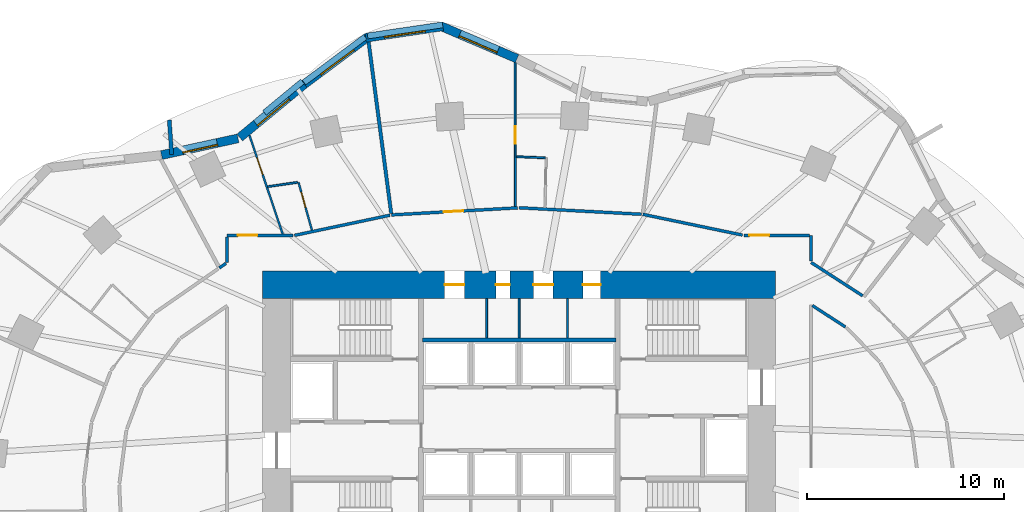
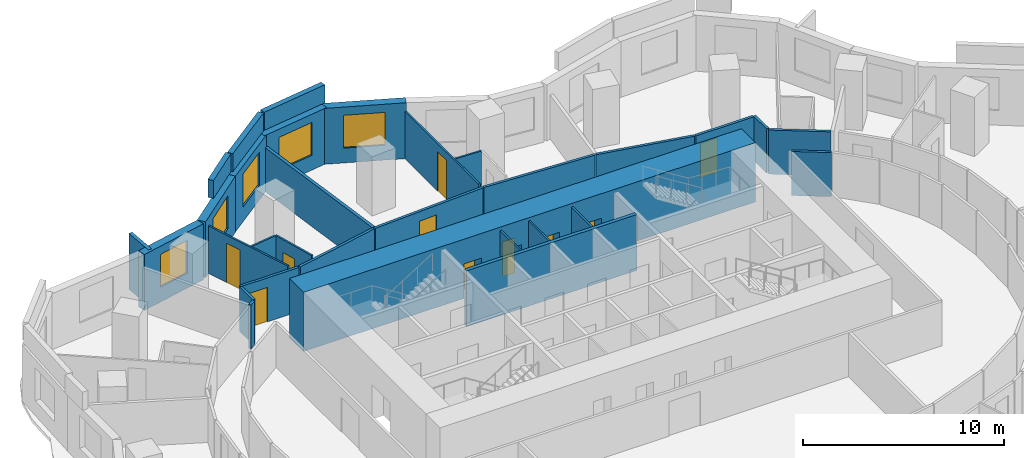
# One storey, part 8 of 11: 31 walls, 10 doors, 5 windows, 15 openings.
"""IFC4 building model written with IfcOpenShell, lengths in metres."""

from ifc_helpers import new_model, si_unit, direction, frame, frame_2d, origin, place, context, subcontext, project, spatial, rectangle, extrude, material, layer, layer_set, type_object, element, fill, save


model = new_model("IFC4")

# Units and contexts
model_context = context("Model", 3, precision=1e-05, world=origin(), true_north=direction((0.0, 1.0)))
body_context = subcontext(model_context, "Body", "Model", "MODEL_VIEW")
ifc_project = project(units=[si_unit("LENGTHUNIT", "METRE"), si_unit("AREAUNIT", "SQUARE_METRE"), si_unit("VOLUMEUNIT", "CUBIC_METRE"), si_unit("PLANEANGLEUNIT", "RADIAN"), si_unit("MASSUNIT", "GRAM", prefix="KILO")], contexts=[model_context])

# Site, building, storey
site_placement = place(None, origin())
site = spatial("IfcSite", under=ifc_project, at=site_placement, CompositionType="ELEMENT")
building_placement = place(site_placement, origin())
building = spatial("IfcBuilding", under=site, at=building_placement, Name="Rubra Terraces Tower", CompositionType="ELEMENT")
storey_placement = place(building_placement, frame((0.0, 0.0, 37.5)))
storey = spatial("IfcBuildingStorey", under=building, at=storey_placement, Name="L06", CompositionType="ELEMENT", Elevation=37.5)

# Wall
ifc_material_1 = material(Name="Twin plasterboard on staggered steel stud, acoustic mineral wool", Category="steel")
ifc_layer_1 = layer(ifc_material_1, 0.175048828125)
ifc_layer_set_1 = layer_set([ifc_layer_1], Name="Twin plasterboard on staggered steel stud, acoustic mineral wool")
wall_type_1 = type_object("IfcWallType", Name="ACOUSTIC PARTY WALL 175", PredefinedType="PARTITIONING", material=ifc_layer_set_1)
wall_1_placement = place(storey_placement, frame((-7.632568359375, 23.60791015625, 0.0), z_axis=(0.0, 0.0, 1.0), x_axis=(0.130721600839, -0.99141911575, 0.0)))
element("IfcWall", 1, at=wall_1_placement, inside=storey, type_object=wall_type_1, Name="PARTITION", PredefinedType="PARTITIONING", context=body_context, shape_type="SweptSolid", body=[
    extrude(rectangle(XDim=8.772216796875, YDim=0.175048828125, at=frame_2d((4.38623046875, 0.0))), origin(), (0.0, 0.0, 1.0), 2.679931640625),
])

# Wall, opening, window
ifc_material_2 = material(Name="Brick masonry red-brown", Category="masonry")
ifc_layer_2 = layer(ifc_material_2, 0.449951171875)
ifc_layer_set_2 = layer_set([ifc_layer_2], Name="Brick masonry red-brown")
wall_type_2 = type_object("IfcWallType", Name="Brick facade wall 450", PredefinedType="SOLIDWALL", material=ifc_layer_set_2)
wall_2_placement = place(storey_placement, frame((-0.103271484375, 22.7578125, 0.0), z_axis=(0.0, 0.0, 1.0), x_axis=(-0.920037498786, 0.391830321475, 0.0)))
wall_2 = element("IfcWall", 2, at=wall_2_placement, inside=storey, type_object=wall_type_2, Name="Facade wall L06 bay 11", PredefinedType="SOLIDWALL", context=body_context, shape_type="SweptSolid", body=[
    extrude(rectangle(XDim=4.219482421875, YDim=0.449951171875, at=frame_2d((2.10986328125, 0.0))), origin(), (0.0, 0.0, 1.0), 3.39990234375),
])
opening_1_placement = place(wall_2_placement, frame((1.059814453125, 0.0, 0.89990234375)))
opening_1 = element("IfcOpeningElement", 3, at=opening_1_placement, cuts=wall_2, Name="Opening W1", PredefinedType="OPENING", context=body_context, shape_type="SweptSolid", body=[
    extrude(rectangle(XDim=2.10009765625, YDim=2.0, at=frame_2d((1.050048828125, 1.0))), frame((0.0, 0.23486328125, 0.0), z_axis=(0.0, -1.0, 0.0), x_axis=(1.0, 0.0, 0.0)), (0.0, 0.0, 1.0), 0.469970703125),
])
ifc_material_3 = material(Name="Clear glass in aluminium frame", Category="aluminium")
window_type_1 = type_object("IfcWindowType", Name="Fixed deep-set window 2100 x 2000", PartitioningType="SINGLE_PANEL", PredefinedType="WINDOW", material=ifc_material_3)
window_1_placement = place(opening_1_placement, origin())
window_1 = element("IfcWindow", 4, at=window_1_placement, inside=storey, type_object=window_type_1, Name="Window L06 bay 11", OverallHeight=2.0, OverallWidth=2.10009765625, PartitioningType="SINGLE_PANEL", PredefinedType="WINDOW", context=body_context, shape_type="SweptSolid", body=[
    extrude(rectangle(XDim=2.10009765625, YDim=2.0, at=frame_2d((1.050048828125, 1.0))), frame((0.0, 0.135009765625, 0.0), z_axis=(0.0, -1.0, 0.0), x_axis=(1.0, 0.0, 0.0)), (0.0, 0.0, 1.0), 0.06005859375),
])
fill(opening_1, window_1)

wall_3_placement = place(storey_placement, frame((-3.8662109375, 24.396484375, 0.0), z_axis=(0.0, 0.0, 1.0), x_axis=(-0.989255112942, -0.146199594798, 0.0)))
wall_3 = element("IfcWall", 5, at=wall_3_placement, inside=storey, type_object=wall_type_2, Name="Facade wall L06 bay 12", PredefinedType="SOLIDWALL", context=body_context, shape_type="SweptSolid", body=[
    extrude(rectangle(XDim=3.954345703125, YDim=0.449951171875, at=frame_2d((1.97705078125, 0.0))), origin(), (0.0, 0.0, 1.0), 3.39990234375),
])
opening_2_placement = place(wall_3_placement, frame((0.92724609375, 0.0, 0.89990234375)))
opening_2 = element("IfcOpeningElement", 6, at=opening_2_placement, cuts=wall_3, Name="Opening W1", PredefinedType="OPENING", context=body_context, shape_type="SweptSolid", body=[
    extrude(rectangle(XDim=2.10009765625, YDim=2.0, at=frame_2d((1.050048828125, 1.0))), frame((0.0, 0.23486328125, 0.0), z_axis=(0.0, -1.0, 0.0), x_axis=(1.0, 0.0, 0.0)), (0.0, 0.0, 1.0), 0.469970703125),
])
window_2_placement = place(opening_2_placement, origin())
window_2 = element("IfcWindow", 7, at=window_2_placement, inside=storey, type_object=window_type_1, Name="Window L06 bay 12", OverallHeight=2.0, OverallWidth=2.10009765625, PartitioningType="SINGLE_PANEL", PredefinedType="WINDOW", context=body_context, shape_type="SweptSolid", body=[
    extrude(rectangle(XDim=2.10009765625, YDim=2.0, at=frame_2d((1.050048828125, 1.0))), frame((0.0, 0.135009765625, 0.0), z_axis=(0.0, -1.0, 0.0), x_axis=(1.0, 0.0, 0.0)), (0.0, 0.0, 1.0), 0.06005859375),
])
fill(opening_2, window_2)

wall_4_placement = place(storey_placement, frame((-7.678466796875, 23.859130859375, 0.0), z_axis=(0.0, 0.0, 1.0), x_axis=(-0.801665619573, -0.597772728046, 0.0)))
wall_4 = element("IfcWall", 8, at=wall_4_placement, inside=storey, type_object=wall_type_2, Name="Facade wall L06 bay 13", PredefinedType="SOLIDWALL", context=body_context, shape_type="SweptSolid", body=[
    extrude(rectangle(XDim=4.0029296875, YDim=0.449951171875, at=frame_2d((2.00146484375, 0.0))), origin(), (0.0, 0.0, 1.0), 3.39990234375),
])
opening_3_placement = place(wall_4_placement, frame((0.951416015625, 0.0, 0.89990234375)))
opening_3 = element("IfcOpeningElement", 9, at=opening_3_placement, cuts=wall_4, Name="Opening W1", PredefinedType="OPENING", context=body_context, shape_type="SweptSolid", body=[
    extrude(rectangle(XDim=2.10009765625, YDim=2.0, at=frame_2d((1.050048828125, 1.0))), frame((0.0, 0.23486328125, 0.0), z_axis=(0.0, -1.0, 0.0), x_axis=(1.0, 0.0, 0.0)), (0.0, 0.0, 1.0), 0.469970703125),
])
window_3_placement = place(opening_3_placement, origin())
window_3 = element("IfcWindow", 10, at=window_3_placement, inside=storey, type_object=window_type_1, Name="Window L06 bay 13", OverallHeight=2.0, OverallWidth=2.10009765625, PartitioningType="SINGLE_PANEL", PredefinedType="WINDOW", context=body_context, shape_type="SweptSolid", body=[
    extrude(rectangle(XDim=2.10009765625, YDim=2.0, at=frame_2d((1.050048828125, 1.0))), frame((0.0, 0.135009765625, 0.0), z_axis=(0.0, -1.0, 0.0), x_axis=(1.0, 0.0, 0.0)), (0.0, 0.0, 1.0), 0.06005859375),
])
fill(opening_3, window_3)

wall_5_placement = place(storey_placement, frame((-10.878662109375, 21.473388671875, 0.0), z_axis=(0.0, 0.0, 1.0), x_axis=(-0.77124668946, -0.636536365023, 0.0)))
wall_5 = element("IfcWall", 11, at=wall_5_placement, inside=storey, type_object=wall_type_2, Name="Facade wall L06 bay 14", PredefinedType="SOLIDWALL", context=body_context, shape_type="SweptSolid", body=[
    extrude(rectangle(XDim=4.2607421875, YDim=0.449951171875, at=frame_2d((2.13037109375, 0.0))), origin(), (0.0, 0.0, 1.0), 3.39990234375),
])
opening_4_placement = place(wall_5_placement, frame((1.080322265625, 0.0, 0.89990234375)))
opening_4 = element("IfcOpeningElement", 12, at=opening_4_placement, cuts=wall_5, Name="Opening W1", PredefinedType="OPENING", context=body_context, shape_type="SweptSolid", body=[
    extrude(rectangle(XDim=2.10009765625, YDim=2.0, at=frame_2d((1.050048828125, 1.0))), frame((0.0, 0.23486328125, 0.0), z_axis=(0.0, -1.0, 0.0), x_axis=(1.0, 0.0, 0.0)), (0.0, 0.0, 1.0), 0.469970703125),
])
window_4_placement = place(opening_4_placement, origin())
window_4 = element("IfcWindow", 13, at=window_4_placement, inside=storey, type_object=window_type_1, Name="Window L06 bay 14", OverallHeight=2.0, OverallWidth=2.10009765625, PartitioningType="SINGLE_PANEL", PredefinedType="WINDOW", context=body_context, shape_type="SweptSolid", body=[
    extrude(rectangle(XDim=2.10009765625, YDim=2.0, at=frame_2d((1.050048828125, 1.0))), frame((0.0, 0.135009765625, 0.0), z_axis=(0.0, -1.0, 0.0), x_axis=(1.0, 0.0, 0.0)), (0.0, 0.0, 1.0), 0.06005859375),
])
fill(opening_4, window_4)

wall_6_placement = place(storey_placement, frame((-14.250732421875, 18.71826171875, 0.0), z_axis=(0.0, 0.0, 1.0), x_axis=(-0.976903627618, -0.213680374267, 0.0)))
wall_6 = element("IfcWall", 14, at=wall_6_placement, inside=storey, type_object=wall_type_2, Name="Facade wall L06 bay 15", PredefinedType="SOLIDWALL", context=body_context, shape_type="SweptSolid", body=[
    extrude(rectangle(XDim=3.970458984375, YDim=0.449951171875, at=frame_2d((1.9853515625, 0.0))), origin(), (0.0, 0.0, 1.0), 3.39990234375),
])
opening_5_placement = place(wall_6_placement, frame((1.085205078125, 0.0, 0.89990234375)))
opening_5 = element("IfcOpeningElement", 15, at=opening_5_placement, cuts=wall_6, Name="Opening W6", PredefinedType="OPENING", context=body_context, shape_type="SweptSolid", body=[
    extrude(rectangle(XDim=1.800048828125, YDim=2.0, at=frame_2d((0.89990234375, 1.0))), frame((0.0, 0.23486328125, 0.0), z_axis=(0.0, -1.0, 0.0), x_axis=(1.0, 0.0, 0.0)), (0.0, 0.0, 1.0), 0.469970703125),
])
window_type_2 = type_object("IfcWindowType", Name="Fixed deep-set window at wind fin 1800 x 2000", PartitioningType="SINGLE_PANEL", PredefinedType="WINDOW", material=ifc_material_3)
window_5_placement = place(opening_5_placement, origin())
window_5 = element("IfcWindow", 16, at=window_5_placement, inside=storey, type_object=window_type_2, Name="Window L06 bay 15", OverallHeight=2.0, OverallWidth=1.800048828125, PartitioningType="SINGLE_PANEL", PredefinedType="WINDOW", context=body_context, shape_type="SweptSolid", body=[
    extrude(rectangle(XDim=1.800048828125, YDim=2.0, at=frame_2d((0.89990234375, 1.0))), frame((0.0, 0.135009765625, 0.0), z_axis=(0.0, -1.0, 0.0), x_axis=(1.0, 0.0, 0.0)), (0.0, 0.0, 1.0), 0.06005859375),
])
fill(opening_5, window_5)

# Walls
ifc_layer_3 = layer(ifc_material_2, 0.300048828125)
ifc_layer_set_3 = layer_set([ifc_layer_3], Name="Brick masonry red-brown")
wall_type_3 = type_object("IfcWallType", Name="Brick parapet 300", PredefinedType="PARAPET", material=ifc_layer_set_3)
wall_7_placement = place(storey_placement, frame((-3.877197265625, 24.470703125, 3.60009765625), z_axis=(0.0, 0.0, 1.0), x_axis=(-0.989252791024, -0.146215305118, 0.0)))
element("IfcWall", 17, at=wall_7_placement, inside=storey, type_object=wall_type_3, Name="Parapet L06 bay 12", PredefinedType="PARAPET", context=body_context, shape_type="SweptSolid", body=[
    extrude(rectangle(XDim=3.8486328125, YDim=0.300048828125, at=frame_2d((1.92431640625, 0.0))), origin(), (0.0, 0.0, 1.0), 1.099853515625),
])
wall_8_placement = place(storey_placement, frame((-7.80615234375, 23.857666015625, 3.60009765625), z_axis=(0.0, 0.0, 1.0), x_axis=(-0.801649538596, -0.597794293439, 0.0)))
element("IfcWall", 18, at=wall_8_placement, inside=storey, type_object=wall_type_3, Name="Parapet L06 bay 13", PredefinedType="PARAPET", context=body_context, shape_type="SweptSolid", body=[
    extrude(rectangle(XDim=3.86474609375, YDim=0.300048828125, at=frame_2d((1.932373046875, 0.0))), origin(), (0.0, 0.0, 1.0), 1.099853515625),
])
wall_9_placement = place(storey_placement, frame((-10.981689453125, 21.60107421875, 3.60009765625), z_axis=(0.0, 0.0, 1.0), x_axis=(-0.771295342686, -0.636477410715, 0.0)))
element("IfcWall", 19, at=wall_9_placement, inside=storey, type_object=wall_type_3, Name="Parapet L06 bay 14", PredefinedType="PARAPET", context=body_context, shape_type="SweptSolid", body=[
    extrude(rectangle(XDim=2.4990234375, YDim=0.300048828125, at=frame_2d((1.24951171875, 0.0))), origin(), (0.0, 0.0, 1.0), 1.099853515625),
])
ifc_layer_4 = layer(ifc_material_2, 0.199951171875)
ifc_layer_set_4 = layer_set([ifc_layer_4], Name="Brick masonry red-brown")
wall_type_4 = type_object("IfcWallType", Name="Brick wind fin 200", PredefinedType="SOLIDWALL", material=ifc_layer_set_4)
wall_10_placement = place(storey_placement, frame((-17.614013671875, 17.90087890625, 0.0), z_axis=(0.0, 0.0, 1.0), x_axis=(-0.069750000204, 0.997564502913, 0.0)))
element("IfcWall", 20, at=wall_10_placement, inside=storey, type_object=wall_type_4, Name="Wind fin L06 9", PredefinedType="SOLIDWALL", context=body_context, shape_type="SweptSolid", body=[
    extrude(rectangle(XDim=1.75, YDim=0.199951171875, at=frame_2d((0.875, 0.0))), origin(), (0.0, 0.0, 1.0), 3.39990234375),
])

# Wall, openings, doors
ifc_material_4 = material(Name="Concrete C70", Category="concrete")
ifc_layer_5 = layer(ifc_material_4, 1.39990234375)
ifc_layer_set_5 = layer_set([ifc_layer_5], Name="Concrete C70")
wall_type_5 = type_object("IfcWallType", Name="CORE WALL 1400 C70", PredefinedType="SHEAR", material=ifc_layer_set_5)
wall_11_placement = place(storey_placement, frame((-13.0, 11.300048828125, 0.0), z_axis=(0.0, 0.0, 1.0), x_axis=(1.0, 0.0, 0.0)))
wall_11 = element("IfcWall", 21, at=wall_11_placement, inside=storey, type_object=wall_type_5, Name="CORE WALL N L06", PredefinedType="SHEAR", context=body_context, shape_type="SweptSolid", body=[
    extrude(rectangle(XDim=26.0, YDim=1.39990234375, at=frame_2d((13.0, 0.0))), origin(), (0.0, 0.0, 1.0), 3.60009765625),
])
opening_6_placement = place(wall_11_placement, frame((9.22509765625, 0.0, 0.0)))
opening_6 = element("IfcOpeningElement", 22, at=opening_6_placement, cuts=wall_11, Name="Opening L06.C23", PredefinedType="OPENING", context=body_context, shape_type="SweptSolid", body=[
    extrude(rectangle(XDim=1.0, YDim=2.10009765625, at=frame_2d((0.5, 1.050048828125))), frame((0.0, 0.7099609375, 0.0), z_axis=(0.0, -1.0, 0.0), x_axis=(1.0, 0.0, 0.0)), (0.0, 0.0, 1.0), 1.419921875),
])
opening_7_placement = place(wall_11_placement, frame((11.824951171875, 0.0, 0.0)))
opening_7 = element("IfcOpeningElement", 23, at=opening_7_placement, cuts=wall_11, Name="Opening L06.C24", PredefinedType="OPENING", context=body_context, shape_type="SweptSolid", body=[
    extrude(rectangle(XDim=0.699951171875, YDim=2.10009765625, at=frame_2d((0.35009765625, 1.050048828125))), frame((0.0, 0.7099609375, 0.0), z_axis=(0.0, -1.0, 0.0), x_axis=(1.0, 0.0, 0.0)), (0.0, 0.0, 1.0), 1.419921875),
])
opening_8_placement = place(wall_11_placement, frame((13.72509765625, 0.0, 0.0)))
opening_8 = element("IfcOpeningElement", 24, at=opening_8_placement, cuts=wall_11, Name="Opening L06.C25", PredefinedType="OPENING", context=body_context, shape_type="SweptSolid", body=[
    extrude(rectangle(XDim=1.0, YDim=2.10009765625, at=frame_2d((0.5, 1.050048828125))), frame((0.0, 0.7099609375, 0.0), z_axis=(0.0, -1.0, 0.0), x_axis=(1.0, 0.0, 0.0)), (0.0, 0.0, 1.0), 1.419921875),
])
opening_9_placement = place(wall_11_placement, frame((16.22509765625, 0.0, 0.0)))
opening_9 = element("IfcOpeningElement", 25, at=opening_9_placement, cuts=wall_11, Name="Opening L06.C26", PredefinedType="OPENING", context=body_context, shape_type="SweptSolid", body=[
    extrude(rectangle(XDim=0.89990234375, YDim=2.10009765625, at=frame_2d((0.449951171875, 1.050048828125))), frame((0.0, 0.7099609375, 0.0), z_axis=(0.0, -1.0, 0.0), x_axis=(1.0, 0.0, 0.0)), (0.0, 0.0, 1.0), 1.419921875),
])
ifc_material_5 = material(Name="Painted steel", Category="steel")
door_type_1 = type_object("IfcDoorType", Name="Fire door 1000x2100 single", OperationType="NOTDEFINED", PredefinedType="DOOR", material=ifc_material_5)
door_1_placement = place(opening_6_placement, origin())
door_1 = element("IfcDoor", 26, at=door_1_placement, inside=storey, type_object=door_type_1, Name="General store door", OperationType="SINGLE_SWING_LEFT", OverallHeight=2.10009765625, OverallWidth=1.0, PredefinedType="DOOR", context=body_context, shape_type="SweptSolid", body=[
    extrude(rectangle(XDim=1.0, YDim=2.10009765625, at=frame_2d((0.5, 1.050048828125))), frame((0.0, 0.02490234375, 0.0), z_axis=(0.0, -1.0, 0.0), x_axis=(1.0, 0.0, 0.0)), (0.0, 0.0, 1.0), 0.050048828125),
])
fill(opening_6, door_1)
door_2_placement = place(opening_8_placement, origin())
door_2 = element("IfcDoor", 27, at=door_2_placement, inside=storey, type_object=door_type_1, Name="Tea point door", OperationType="SINGLE_SWING_LEFT", OverallHeight=2.10009765625, OverallWidth=1.0, PredefinedType="DOOR", context=body_context, shape_type="SweptSolid", body=[
    extrude(rectangle(XDim=1.0, YDim=2.10009765625, at=frame_2d((0.5, 1.050048828125))), frame((0.0, 0.02490234375, 0.0), z_axis=(0.0, -1.0, 0.0), x_axis=(1.0, 0.0, 0.0)), (0.0, 0.0, 1.0), 0.050048828125),
])
fill(opening_8, door_2)
door_type_2 = type_object("IfcDoorType", Name="Fire door 900x2100 single", OperationType="NOTDEFINED", PredefinedType="DOOR", material=ifc_material_5)
door_3_placement = place(opening_9_placement, origin())
door_3 = element("IfcDoor", 28, at=door_3_placement, inside=storey, type_object=door_type_2, Name="Cleaner's store door", OperationType="SINGLE_SWING_RIGHT", OverallHeight=2.10009765625, OverallWidth=0.89990234375, PredefinedType="DOOR", context=body_context, shape_type="SweptSolid", body=[
    extrude(rectangle(XDim=0.89990234375, YDim=2.10009765625, at=frame_2d((0.449951171875, 1.050048828125))), frame((0.0, 0.02490234375, 0.0), z_axis=(0.0, -1.0, 0.0), x_axis=(1.0, 0.0, 0.0)), (0.0, 0.0, 1.0), 0.050048828125),
])
fill(opening_9, door_3)
door_type_3 = type_object("IfcDoorType", Name="Riser access door 700x2100 single", OperationType="NOTDEFINED", PredefinedType="DOOR", material=ifc_material_5)
door_4_placement = place(opening_7_placement, origin())
door_4 = element("IfcDoor", 29, at=door_4_placement, inside=storey, type_object=door_type_3, Name="Electrical riser room door", OperationType="SINGLE_SWING_RIGHT", OverallHeight=2.10009765625, OverallWidth=0.699951171875, PredefinedType="DOOR", context=body_context, shape_type="SweptSolid", body=[
    extrude(rectangle(XDim=0.699951171875, YDim=2.10009765625, at=frame_2d((0.35009765625, 1.050048828125))), frame((0.0, 0.02490234375, 0.0), z_axis=(0.0, -1.0, 0.0), x_axis=(1.0, 0.0, 0.0)), (0.0, 0.0, 1.0), 0.050048828125),
])
fill(opening_7, door_4)

# Walls
ifc_material_6 = material(Name="Plasterboard on steel stud, mineral wool infill", Category="steel")
ifc_layer_6 = layer(ifc_material_6, 0.14990234375)
ifc_layer_set_6 = layer_set([ifc_layer_6], Name="Plasterboard on steel stud, mineral wool infill")
wall_type_6 = type_object("IfcWallType", Name="CORRIDOR PARTITION 150", PredefinedType="PARTITIONING", material=ifc_layer_set_6)
wall_12_placement = place(storey_placement, frame((17.410888671875, 10.737548828125, 0.0), z_axis=(0.0, 0.0, 1.0), x_axis=(-0.839570157152, 0.543251278157, 0.0)))
element("IfcWall", 30, at=wall_12_placement, inside=storey, type_object=wall_type_6, Name="PARTITION", PredefinedType="PARTITIONING", context=body_context, shape_type="SweptSolid", body=[
    extrude(rectangle(XDim=3.109375, YDim=0.14990234375, at=frame_2d((1.5546875, 0.0))), origin(), (0.0, 0.0, 1.0), 2.679931640625),
])
wall_13_placement = place(storey_placement, frame((14.80029296875, 12.501708984375, 0.0), z_axis=(0.0, 0.0, 1.0), x_axis=(-0.000188040613, 0.99999998232, 0.0)))
element("IfcWall", 31, at=wall_13_placement, inside=storey, type_object=wall_type_6, Name="PARTITION", PredefinedType="PARTITIONING", context=body_context, shape_type="SweptSolid", body=[
    extrude(rectangle(XDim=1.29833984375, YDim=0.14990234375, at=frame_2d((0.649169921875, 0.0))), origin(), (0.0, 0.0, 1.0), 2.679931640625),
])

# Wall, opening, door
wall_14_placement = place(storey_placement, frame((14.72509765625, 13.800048828125, 0.0), z_axis=(0.0, 0.0, 1.0), x_axis=(-1.0, 0.0, 0.0)))
wall_14 = element("IfcWall", 32, at=wall_14_placement, inside=storey, type_object=wall_type_6, Name="PARTITION", PredefinedType="PARTITIONING", context=body_context, shape_type="SweptSolid", body=[
    extrude(rectangle(XDim=3.335693359375, YDim=0.14990234375, at=frame_2d((1.66796875, 0.0))), origin(), (0.0, 0.0, 1.0), 2.679931640625),
])
opening_10_placement = place(wall_14_placement, frame((2.050048828125, 0.0, 0.0)))
opening_10 = element("IfcOpeningElement", 33, at=opening_10_placement, cuts=wall_14, Name="Opening 06-106", PredefinedType="OPENING", context=body_context, shape_type="SweptSolid", body=[
    extrude(rectangle(XDim=1.0, YDim=2.10009765625, at=frame_2d((0.5, 1.050048828125))), frame((0.0, 0.0849609375, 0.0), z_axis=(0.0, -1.0, 0.0), x_axis=(1.0, 0.0, 0.0)), (0.0, 0.0, 1.0), 0.169921875),
])
ifc_material_7 = material(Name="Painted timber door leaf", Category="wood")
door_type_4 = type_object("IfcDoorType", Name="ROOM DOOR 1000 X 2100", OperationType="SINGLE_SWING_LEFT", PredefinedType="DOOR", material=ifc_material_7)
door_5_placement = place(opening_10_placement, origin())
door_5 = element("IfcDoor", 34, at=door_5_placement, inside=storey, type_object=door_type_4, Name="DOOR 06-106", OperationType="SINGLE_SWING_RIGHT", OverallHeight=2.10009765625, OverallWidth=1.0, PredefinedType="DOOR", context=body_context, shape_type="SweptSolid", body=[
    extrude(rectangle(XDim=1.0, YDim=2.10009765625, at=frame_2d((0.5, 1.050048828125))), frame((0.0, 0.02490234375, 0.0), z_axis=(0.0, -1.0, 0.0), x_axis=(1.0, 0.0, 0.0)), (0.0, 0.0, 1.0), 0.050048828125),
])
fill(opening_10, door_5)

# Walls
wall_15_placement = place(storey_placement, frame((11.31591796875, 13.815185546875, 0.0), z_axis=(0.0, 0.0, 1.0), x_axis=(-0.978978843439, 0.203961820198, 0.0)))
element("IfcWall", 35, at=wall_15_placement, inside=storey, type_object=wall_type_6, Name="PARTITION", PredefinedType="PARTITIONING", context=body_context, shape_type="SweptSolid", body=[
    extrude(rectangle(XDim=5.154296875, YDim=0.14990234375, at=frame_2d((2.5771484375, 0.0))), origin(), (0.0, 0.0, 1.0), 2.679931640625),
])
wall_16_placement = place(storey_placement, frame((6.1953125, 14.870361328125, 0.0), z_axis=(0.0, 0.0, 1.0), x_axis=(-0.99858788346, 0.053124749475, 0.0)))
element("IfcWall", 36, at=wall_16_placement, inside=storey, type_object=wall_type_6, Name="PARTITION", PredefinedType="PARTITIONING", context=body_context, shape_type="SweptSolid", body=[
    extrude(rectangle(XDim=6.2041015625, YDim=0.14990234375, at=frame_2d((3.10205078125, 0.0))), origin(), (0.0, 0.0, 1.0), 2.679931640625),
])

# Wall, opening, door
wall_17_placement = place(storey_placement, frame((-0.074951171875, 15.19580078125, 0.0), z_axis=(0.0, 0.0, 1.0), x_axis=(-0.998427726148, -0.056054220714, 0.0)))
wall_17 = element("IfcWall", 37, at=wall_17_placement, inside=storey, type_object=wall_type_6, Name="PARTITION", PredefinedType="PARTITIONING", context=body_context, shape_type="SweptSolid", body=[
    extrude(rectangle(XDim=6.4111328125, YDim=0.14990234375, at=frame_2d((3.20556640625, 0.0))), origin(), (0.0, 0.0, 1.0), 2.679931640625),
])
opening_11_placement = place(wall_17_placement, frame((2.764892578125, 0.0, 0.0)))
opening_11 = element("IfcOpeningElement", 38, at=opening_11_placement, cuts=wall_17, Name="Opening 06-109", PredefinedType="OPENING", context=body_context, shape_type="SweptSolid", body=[
    extrude(rectangle(XDim=1.0, YDim=2.10009765625, at=frame_2d((0.5, 1.050048828125))), frame((0.0, 0.0849609375, 0.0), z_axis=(0.0, -1.0, 0.0), x_axis=(1.0, 0.0, 0.0)), (0.0, 0.0, 1.0), 0.169921875),
])
door_6_placement = place(opening_11_placement, origin())
door_6 = element("IfcDoor", 39, at=door_6_placement, inside=storey, type_object=door_type_4, Name="DOOR 06-109", OperationType="SINGLE_SWING_RIGHT", OverallHeight=2.10009765625, OverallWidth=1.0, PredefinedType="DOOR", context=body_context, shape_type="SweptSolid", body=[
    extrude(rectangle(XDim=1.0, YDim=2.10009765625, at=frame_2d((0.5, 1.050048828125))), frame((0.0, 0.02490234375, 0.0), z_axis=(0.0, -1.0, 0.0), x_axis=(1.0, 0.0, 0.0)), (0.0, 0.0, 1.0), 0.050048828125),
])
fill(opening_11, door_6)

# Wall
wall_18_placement = place(storey_placement, frame((-6.549560546875, 14.821044921875, 0.0), z_axis=(0.0, 0.0, 1.0), x_axis=(-0.978464864562, -0.206413441465, 0.0)))
element("IfcWall", 40, at=wall_18_placement, inside=storey, type_object=wall_type_6, Name="PARTITION", PredefinedType="PARTITIONING", context=body_context, shape_type="SweptSolid", body=[
    extrude(rectangle(XDim=4.9462890625, YDim=0.14990234375, at=frame_2d((2.47314453125, 0.0))), origin(), (0.0, 0.0, 1.0), 2.679931640625),
])

# Wall, opening, door
wall_19_placement = place(storey_placement, frame((-11.46435546875, 13.800048828125, 0.0), z_axis=(0.0, 0.0, 1.0), x_axis=(-1.0, 0.0, 0.0)))
wall_19 = element("IfcWall", 41, at=wall_19_placement, inside=storey, type_object=wall_type_6, Name="PARTITION", PredefinedType="PARTITIONING", context=body_context, shape_type="SweptSolid", body=[
    extrude(rectangle(XDim=3.335693359375, YDim=0.14990234375, at=frame_2d((1.66796875, 0.0))), origin(), (0.0, 0.0, 1.0), 2.679931640625),
])
opening_12_placement = place(wall_19_placement, frame((1.800048828125, 0.0, 0.0)))
opening_12 = element("IfcOpeningElement", 42, at=opening_12_placement, cuts=wall_19, Name="Opening 06-112", PredefinedType="OPENING", context=body_context, shape_type="SweptSolid", body=[
    extrude(rectangle(XDim=1.0, YDim=2.10009765625, at=frame_2d((0.5, 1.050048828125))), frame((0.0, 0.0849609375, 0.0), z_axis=(0.0, -1.0, 0.0), x_axis=(1.0, 0.0, 0.0)), (0.0, 0.0, 1.0), 0.169921875),
])
door_7_placement = place(opening_12_placement, origin())
door_7 = element("IfcDoor", 43, at=door_7_placement, inside=storey, type_object=door_type_4, Name="DOOR 06-112", OperationType="SINGLE_SWING_RIGHT", OverallHeight=2.10009765625, OverallWidth=1.0, PredefinedType="DOOR", context=body_context, shape_type="SweptSolid", body=[
    extrude(rectangle(XDim=1.0, YDim=2.10009765625, at=frame_2d((0.5, 1.050048828125))), frame((0.0, 0.02490234375, 0.0), z_axis=(0.0, -1.0, 0.0), x_axis=(1.0, 0.0, 0.0)), (0.0, 0.0, 1.0), 0.050048828125),
])
fill(opening_12, door_7)

# Walls
wall_20_placement = place(storey_placement, frame((-14.800048828125, 13.72509765625, 0.0), z_axis=(0.0, 0.0, 1.0), x_axis=(-0.000188040613, -0.99999998232, 0.0)))
element("IfcWall", 44, at=wall_20_placement, inside=storey, type_object=wall_type_6, Name="PARTITION", PredefinedType="PARTITIONING", context=body_context, shape_type="SweptSolid", body=[
    extrude(rectangle(XDim=1.29833984375, YDim=0.14990234375, at=frame_2d((0.649169921875, 0.0))), origin(), (0.0, 0.0, 1.0), 2.679931640625),
])
wall_21_placement = place(storey_placement, frame((-14.86181640625, 12.384033203125, 0.0), z_axis=(0.0, 0.0, 1.0), x_axis=(-0.821122810289, -0.57075154877, 0.0)))
element("IfcWall", 45, at=wall_21_placement, inside=storey, type_object=wall_type_6, Name="PARTITION", PredefinedType="PARTITIONING", context=body_context, shape_type="SweptSolid", body=[
    extrude(rectangle(XDim=0.411376953125, YDim=0.14990234375, at=frame_2d((0.20556640625, 0.0))), origin(), (0.0, 0.0, 1.0), 2.679931640625),
])
wall_22_placement = place(storey_placement, frame((14.863037109375, 10.242431640625, 0.0), z_axis=(0.0, 0.0, 1.0), x_axis=(0.839530811724, -0.543312079901, 0.0)))
element("IfcWall", 46, at=wall_22_placement, inside=storey, type_object=wall_type_6, Name="PARTITION", PredefinedType="PARTITIONING", context=body_context, shape_type="SweptSolid", body=[
    extrude(rectangle(XDim=1.997802734375, YDim=0.14990234375, at=frame_2d((0.9990234375, 0.0))), origin(), (0.0, 0.0, 1.0), 2.679931640625),
])
ifc_material_8 = material(Name="Concrete C30", Category="concrete")
ifc_layer_7 = layer(ifc_material_8, 0.199951171875)
ifc_layer_set_7 = layer_set([ifc_layer_7], Name="Concrete C30")
wall_type_7 = type_object("IfcWallType", Name="Core wall 200 concrete", PredefinedType="SOLIDWALL", material=ifc_layer_set_7)
wall_23_placement = place(storey_placement, frame((-4.89990234375, 8.5, 0.0), z_axis=(0.0, 0.0, 1.0), x_axis=(1.0, 0.0, 0.0)))
element("IfcWall", 47, at=wall_23_placement, inside=storey, type_object=wall_type_7, Name="LIFT SHAFT WALL L06", PredefinedType="SOLIDWALL", context=body_context, shape_type="SweptSolid", body=[
    extrude(rectangle(XDim=9.7998046875, YDim=0.199951171875, at=frame_2d((4.89990234375, 0.0))), origin(), (0.0, 0.0, 1.0), 3.39990234375),
])

# Wall, opening, door
ifc_material_9 = material(Name="Plasterboard on steel stud", Category="steel")
ifc_layer_8 = layer(ifc_material_9, 0.10009765625)
ifc_layer_set_8 = layer_set([ifc_layer_8], Name="Plasterboard on steel stud")
wall_type_8 = type_object("IfcWallType", Name="ROOM PARTITION 100", PredefinedType="PARTITIONING", material=ifc_layer_set_8)
wall_24_placement = place(storey_placement, frame((-0.20751953125, 22.55322265625, 0.0), z_axis=(0.0, 0.0, 1.0), x_axis=(0.002076769153, -0.999997843513, 0.0)))
wall_24 = element("IfcWall", 48, at=wall_24_placement, inside=storey, type_object=wall_type_8, Name="PARTITION", PredefinedType="PARTITIONING", context=body_context, shape_type="SweptSolid", body=[
    extrude(rectangle(XDim=7.28857421875, YDim=0.10009765625, at=frame_2d((3.644287109375, 0.0))), origin(), (0.0, 0.0, 1.0), 2.884033203125),
])
opening_13_placement = place(wall_24_placement, frame((3.214111328125, 0.0, 0.0)))
opening_13 = element("IfcOpeningElement", 49, at=opening_13_placement, cuts=wall_24, Name="Opening 06-108", PredefinedType="OPENING", context=body_context, shape_type="SweptSolid", body=[
    extrude(rectangle(XDim=0.89990234375, YDim=2.39990234375, at=frame_2d((0.449951171875, 1.199951171875))), frame((0.0, 0.06005859375, 0.0), z_axis=(0.0, -1.0, 0.0), x_axis=(1.0, 0.0, 0.0)), (0.0, 0.0, 1.0), 0.1201171875),
])
ifc_material_10 = material(Name="Veneered timber door leaf, fire-rated", Category="wood")
door_type_5 = type_object("IfcDoorType", Name="SUITE ENTRANCE DOOR 900 X 2400", OperationType="SINGLE_SWING_LEFT", PredefinedType="DOOR", material=ifc_material_10)
door_8_placement = place(opening_13_placement, origin())
door_8 = element("IfcDoor", 50, at=door_8_placement, inside=storey, type_object=door_type_5, Name="DOOR 06-108", OperationType="SINGLE_SWING_LEFT", OverallHeight=2.39990234375, OverallWidth=0.89990234375, PredefinedType="DOOR", context=body_context, shape_type="SweptSolid", body=[
    extrude(rectangle(XDim=0.89990234375, YDim=2.39990234375, at=frame_2d((0.449951171875, 1.199951171875))), frame((0.0, 0.02490234375, 0.0), z_axis=(0.0, -1.0, 0.0), x_axis=(1.0, 0.0, 0.0)), (0.0, 0.0, 1.0), 0.050048828125),
])
fill(opening_13, door_8)

# Wall
wall_25_placement = place(storey_placement, frame((1.3251953125, 17.7314453125, 0.0), z_axis=(0.0, 0.0, 1.0), x_axis=(-0.999267765644, 0.038261371434, 0.0)))
element("IfcWall", 51, at=wall_25_placement, inside=storey, type_object=wall_type_8, Name="PARTITION", PredefinedType="PARTITIONING", context=body_context, shape_type="SweptSolid", body=[
    extrude(rectangle(XDim=1.473876953125, YDim=0.10009765625, at=frame_2d((0.73681640625, 0.0))), origin(), (0.0, 0.0, 1.0), 2.884033203125),
])

# Wall, opening, door
wall_26_placement = place(storey_placement, frame((-13.6728515625, 18.875732421875, 0.0), z_axis=(0.0, 0.0, 1.0), x_axis=(0.318889713753, -0.947791828654, 0.0)))
wall_26 = element("IfcWall", 52, at=wall_26_placement, inside=storey, type_object=wall_type_8, Name="PARTITION", PredefinedType="PARTITIONING", context=body_context, shape_type="SweptSolid", body=[
    extrude(rectangle(XDim=5.2802734375, YDim=0.10009765625, at=frame_2d((2.64013671875, 0.0))), origin(), (0.0, 0.0, 1.0), 2.884033203125),
])
opening_14_placement = place(wall_26_placement, frame((1.205078125, 0.0, 0.0)))
opening_14 = element("IfcOpeningElement", 53, at=opening_14_placement, cuts=wall_26, Name="Opening 06-111", PredefinedType="OPENING", context=body_context, shape_type="SweptSolid", body=[
    extrude(rectangle(XDim=0.89990234375, YDim=2.39990234375, at=frame_2d((0.449951171875, 1.199951171875))), frame((0.0, 0.06005859375, 0.0), z_axis=(0.0, -1.0, 0.0), x_axis=(1.0, 0.0, 0.0)), (0.0, 0.0, 1.0), 0.1201171875),
])
door_9_placement = place(opening_14_placement, origin())
door_9 = element("IfcDoor", 54, at=door_9_placement, inside=storey, type_object=door_type_5, Name="DOOR 06-111", OperationType="SINGLE_SWING_LEFT", OverallHeight=2.39990234375, OverallWidth=0.89990234375, PredefinedType="DOOR", context=body_context, shape_type="SweptSolid", body=[
    extrude(rectangle(XDim=0.89990234375, YDim=2.39990234375, at=frame_2d((0.449951171875, 1.199951171875))), frame((0.0, 0.02490234375, 0.0), z_axis=(0.0, -1.0, 0.0), x_axis=(1.0, 0.0, 0.0)), (0.0, 0.0, 1.0), 0.050048828125),
])
fill(opening_14, door_9)

wall_27_placement = place(storey_placement, frame((-10.50537109375, 14.06298828125, 0.0), z_axis=(0.0, 0.0, 1.0), x_axis=(-0.269378866163, 0.963034281043, 0.0)))
wall_27 = element("IfcWall", 55, at=wall_27_placement, inside=storey, type_object=wall_type_8, Name="PARTITION", PredefinedType="PARTITIONING", context=body_context, shape_type="SweptSolid", body=[
    extrude(rectangle(XDim=2.52490234375, YDim=0.10009765625, at=frame_2d((1.262451171875, 0.0))), origin(), (0.0, 0.0, 1.0), 2.884033203125),
])
opening_15_placement = place(wall_27_placement, frame((1.199951171875, 0.0, 0.0)))
opening_15 = element("IfcOpeningElement", 56, at=opening_15_placement, cuts=wall_27, Name="Opening 06-110", PredefinedType="OPENING", context=body_context, shape_type="SweptSolid", body=[
    extrude(rectangle(XDim=0.800048828125, YDim=2.10009765625, at=frame_2d((0.39990234375, 1.050048828125))), frame((0.0, 0.06005859375, 0.0), z_axis=(0.0, -1.0, 0.0), x_axis=(1.0, 0.0, 0.0)), (0.0, 0.0, 1.0), 0.1201171875),
])
door_type_6 = type_object("IfcDoorType", Name="BATHROOM DOOR 800 X 2100", OperationType="SINGLE_SWING_LEFT", PredefinedType="DOOR", material=ifc_material_7)
door_10_placement = place(opening_15_placement, origin())
door_10 = element("IfcDoor", 57, at=door_10_placement, inside=storey, type_object=door_type_6, Name="DOOR 06-110", OperationType="SINGLE_SWING_LEFT", OverallHeight=2.10009765625, OverallWidth=0.800048828125, PredefinedType="DOOR", context=body_context, shape_type="SweptSolid", body=[
    extrude(rectangle(XDim=0.800048828125, YDim=2.10009765625, at=frame_2d((0.39990234375, 1.050048828125))), frame((0.0, 0.02490234375, 0.0), z_axis=(0.0, -1.0, 0.0), x_axis=(1.0, 0.0, 0.0)), (0.0, 0.0, 1.0), 0.050048828125),
])
fill(opening_15, door_10)

# Walls
wall_28_placement = place(storey_placement, frame((-11.235107421875, 16.487548828125, 0.0), z_axis=(0.0, 0.0, 1.0), x_axis=(-0.989914246095, -0.141667869954, 0.0)))
element("IfcWall", 58, at=wall_28_placement, inside=storey, type_object=wall_type_8, Name="PARTITION", PredefinedType="PARTITIONING", context=body_context, shape_type="SweptSolid", body=[
    extrude(rectangle(XDim=1.525146484375, YDim=0.10009765625, at=frame_2d((0.7626953125, 0.0))), origin(), (0.0, 0.0, 1.0), 2.884033203125),
])
ifc_material_11 = material(Name="Blockwork", Category="masonry")
ifc_layer_9 = layer(ifc_material_11, 0.10009765625)
ifc_layer_set_9 = layer_set([ifc_layer_9], Name="Blockwork")
wall_type_9 = type_object("IfcWallType", Name="Service partition 100 blockwork", PredefinedType="PARTITIONING", material=ifc_layer_set_9)
for number, where, z_axis, x_axis, name in (
    (59, (-1.64990234375, 8.60009765625, 0.0), (0.0, 0.0, 1.0), (0.0, 1.0, 0.0), "SERVICE ROOM PARTITION L06"),
    (60, (0.0, 8.60009765625, 0.0), (0.0, 0.0, 1.0), (0.0, 1.0, 0.0), "SERVICE ROOM PARTITION L06"),
    (61, (2.449951171875, 8.60009765625, 0.0), (0.0, 0.0, 1.0), (0.0, 1.0, 0.0), "SERVICE ROOM PARTITION L06"),
):
    element("IfcWall", number, at=place(storey_placement, frame(where, z_axis=z_axis, x_axis=x_axis)), inside=storey, type_object=wall_type_9, Name=name, PredefinedType="PARTITIONING", context=body_context, shape_type="SweptSolid", body=[
        extrude(rectangle(XDim=2.0, YDim=0.10009765625, at=frame_2d((1.0, 0.0))), origin(), (0.0, 0.0, 1.0), 3.39990234375),
    ])

save(model, "model.ifc")
